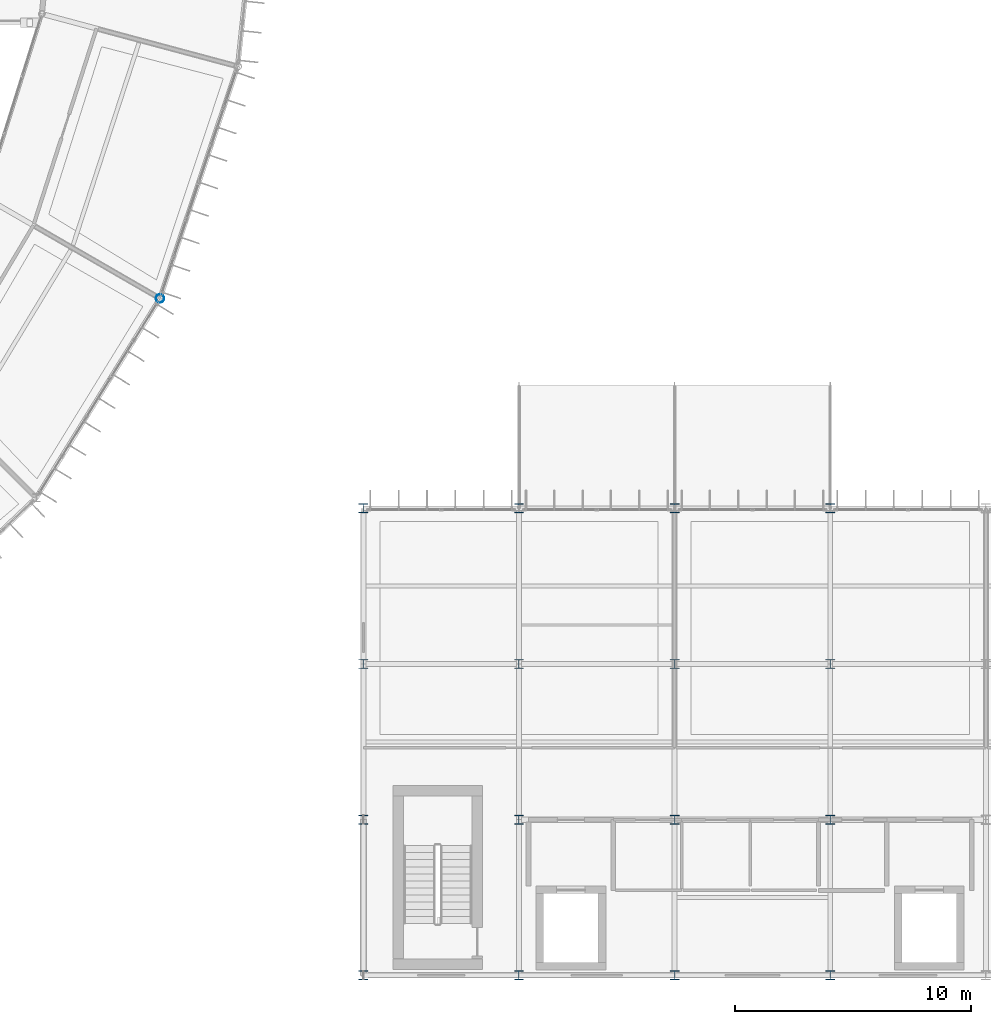
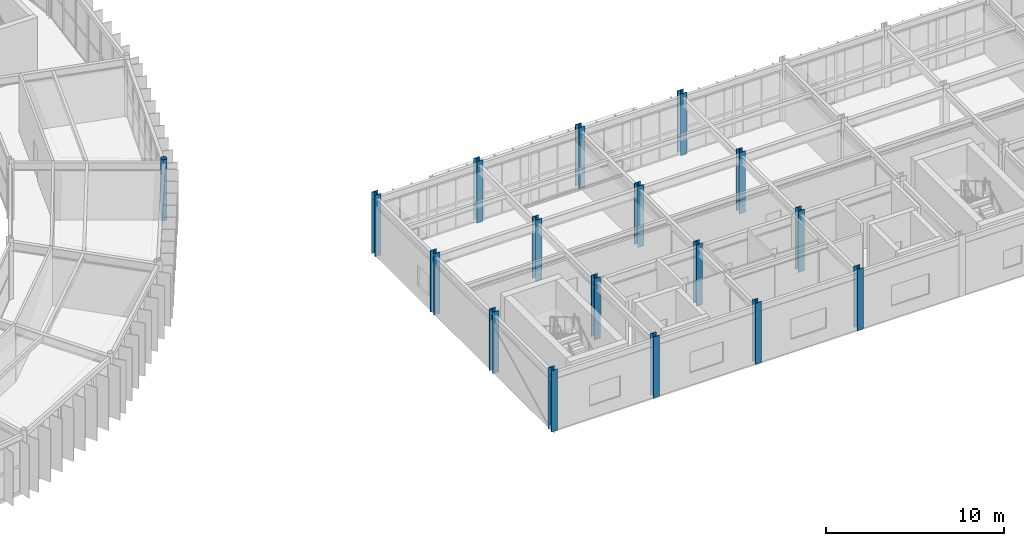
# One storey, part 8 of 148: 17 columns.
"""IFC4 building model written with IfcOpenShell, lengths in metres."""

from ifc_helpers import new_model, si_unit, direction, frame, origin, origin_2d, place, context, subcontext, project, spatial, hollow_circle, i_section, extrude, material, material_profile, profile_set, type_object, element, save


model = new_model("IFC4")

# Units and contexts
model_context = context("Model", 3, precision=1e-05, world=origin(), true_north=direction((0.0, 1.0)))
body_context = subcontext(model_context, "Body", "Model", "MODEL_VIEW")
ifc_project = project(units=[si_unit("LENGTHUNIT", "METRE"), si_unit("AREAUNIT", "SQUARE_METRE"), si_unit("VOLUMEUNIT", "CUBIC_METRE"), si_unit("PLANEANGLEUNIT", "RADIAN"), si_unit("MASSUNIT", "GRAM", prefix="KILO")], contexts=[model_context])

# Site, building, storey
site_placement = place(None, origin())
site = spatial("IfcSite", under=ifc_project, at=site_placement, CompositionType="ELEMENT")
building_placement = place(site_placement, origin())
building = spatial("IfcBuilding", under=site, at=building_placement, Name="Karori Crest Natural Sciences Institute", CompositionType="ELEMENT")
storey_placement = place(building_placement, frame((0.0, 0.0, 4.89990234375)))
storey = spatial("IfcBuildingStorey", under=building, at=storey_placement, Name="L01", CompositionType="ELEMENT", Elevation=4.89990234375)

# Columns
ifc_material_1 = material(Name="Structural steel AS/NZS 3679.1 Grade 350", Category="steel")
ifc_material_profile_1 = material_profile(ifc_material_1, i_section(OverallWidth=0.39990234375, OverallDepth=0.39990234375, WebThickness=0.02001953125, FlangeThickness=0.034912109375, FilletRadius=0.01611328125, at=origin_2d()), Name="400WC328")
ifc_profile_set_1 = profile_set([ifc_material_profile_1], Name="Structural steel AS/NZS 3679.1 Grade 350")
column_type_1 = type_object("IfcColumnType", Name="CT-02", PredefinedType="COLUMN", material=ifc_profile_set_1)
for number, where, z_axis, x_axis, name in (
    (1, (110.199951171875, 7.39990234375, 0.0), (0.0, 0.0, 1.0), (1.0, 0.0, 0.0), "Column C-1079"),
    (2, (110.199951171875, 14.0, 0.0), (0.0, 0.0, 1.0), (1.0, 0.0, 0.0), "Column C-1091"),
    (3, (116.800048828125, 7.39990234375, 0.0), (0.0, 0.0, 1.0), (1.0, 0.0, 0.0), "Column C-1127"),
    (4, (116.800048828125, 14.0, 0.0), (0.0, 0.0, 1.0), (1.0, 0.0, 0.0), "Column C-1139"),
    (5, (123.39990234375, 7.39990234375, 0.0), (0.0, 0.0, 1.0), (1.0, 0.0, 0.0), "Column C-1175"),
    (6, (123.39990234375, 14.0, 0.0), (0.0, 0.0, 1.0), (1.0, 0.0, 0.0), "Column C-1187"),
):
    element("IfcColumn", number, at=place(storey_placement, frame(where, z_axis=z_axis, x_axis=x_axis)), inside=storey, type_object=column_type_1, Name=name, PredefinedType="COLUMN", context=body_context, shape_type="SweptSolid", body=[
        extrude(i_section(OverallWidth=0.39990234375, OverallDepth=0.39990234375, WebThickness=0.02001953125, FlangeThickness=0.034912109375, FilletRadius=0.01611328125, at=origin_2d()), origin(), (0.0, 0.0, 1.0), 4.2001953125),
    ])
ifc_material_profile_2 = material_profile(ifc_material_1, i_section(OverallWidth=0.39990234375, OverallDepth=0.39990234375, WebThickness=0.02001953125, FlangeThickness=0.034912109375, FilletRadius=0.01611328125, at=origin_2d()), Name="400WC328")
ifc_profile_set_2 = profile_set([ifc_material_profile_2], Name="Structural steel AS/NZS 3679.1 Grade 350")
column_type_2 = type_object("IfcColumnType", Name="CT-02-EL", PredefinedType="COLUMN", material=ifc_profile_set_2)
for number, where, z_axis, x_axis, name in (
    (7, (103.60009765625, 0.800048828125, 0.0), (0.0, 0.0, 1.0), (1.0, 0.0, 0.0), "Column C-1019"),
    (8, (103.60009765625, 7.39990234375, 0.0), (0.0, 0.0, 1.0), (1.0, 0.0, 0.0), "Column C-1031"),
    (9, (103.60009765625, 14.0, 0.0), (0.0, 0.0, 1.0), (1.0, 0.0, 0.0), "Column C-1043"),
    (10, (103.60009765625, 20.60009765625, 0.0), (0.0, 0.0, 1.0), (1.0, 0.0, 0.0), "Column C-1055"),
    (11, (110.199951171875, 0.800048828125, 0.0), (0.0, 0.0, 1.0), (1.0, 0.0, 0.0), "Column C-1067"),
    (12, (110.199951171875, 20.60009765625, 0.0), (0.0, 0.0, 1.0), (1.0, 0.0, 0.0), "Column C-1103"),
    (13, (116.800048828125, 0.800048828125, 0.0), (0.0, 0.0, 1.0), (1.0, 0.0, 0.0), "Column C-1115"),
    (14, (116.800048828125, 20.60009765625, 0.0), (0.0, 0.0, 1.0), (1.0, 0.0, 0.0), "Column C-1151"),
    (15, (123.39990234375, 0.800048828125, 0.0), (0.0, 0.0, 1.0), (1.0, 0.0, 0.0), "Column C-1163"),
    (16, (123.39990234375, 20.60009765625, 0.0), (0.0, 0.0, 1.0), (1.0, 0.0, 0.0), "Column C-1199"),
):
    element("IfcColumn", number, at=place(storey_placement, frame(where, z_axis=z_axis, x_axis=x_axis)), inside=storey, type_object=column_type_2, Name=name, PredefinedType="COLUMN", context=body_context, shape_type="SweptSolid", body=[
        extrude(i_section(OverallWidth=0.39990234375, OverallDepth=0.39990234375, WebThickness=0.02001953125, FlangeThickness=0.034912109375, FilletRadius=0.01611328125, at=origin_2d()), origin(), (0.0, 0.0, 1.0), 4.2001953125),
    ])
ifc_material_2 = material(Name="Hollow structural steel AS/NZS 1163 Grade C350", Category="steel")
ifc_material_profile_3 = material_profile(ifc_material_2, hollow_circle(Radius=0.177734375, WallThickness=0.0126953125, at=origin_2d()), Name="CHS355.6x12.7")
ifc_profile_set_3 = profile_set([ifc_material_profile_3], Name="Hollow structural steel AS/NZS 1163 Grade C350")
column_type_3 = type_object("IfcColumnType", Name="CT-14", PredefinedType="COLUMN", material=ifc_profile_set_3)
column_placement = place(storey_placement, frame((94.978759765625, 29.5, 0.0), z_axis=(0.0, 0.0, 1.0), x_axis=(1.0, 0.0, 0.0)))
element("IfcColumn", 17, at=column_placement, inside=storey, type_object=column_type_3, Name="Column C-0365", PredefinedType="COLUMN", context=body_context, shape_type="SweptSolid", body=[
    extrude(hollow_circle(Radius=0.177734375, WallThickness=0.0126953125, at=origin_2d()), origin(), (0.0, 0.0, 1.0), 4.2001953125),
])

save(model, "model.ifc")
